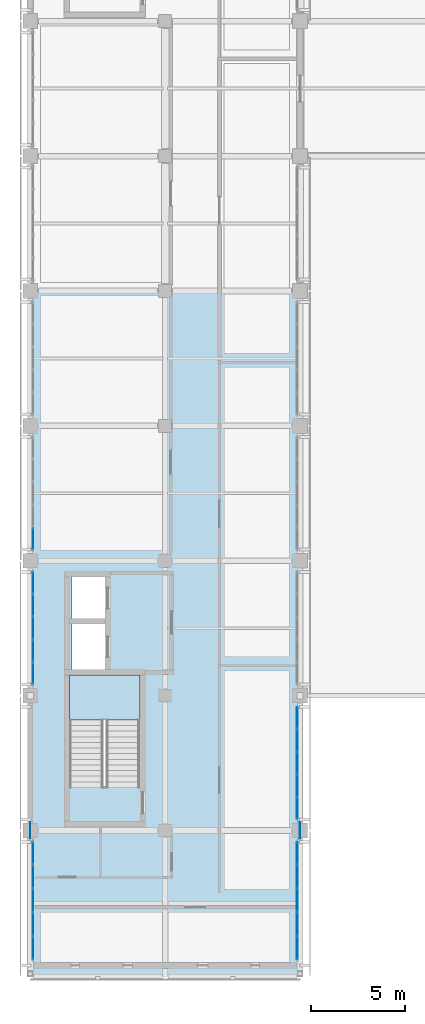
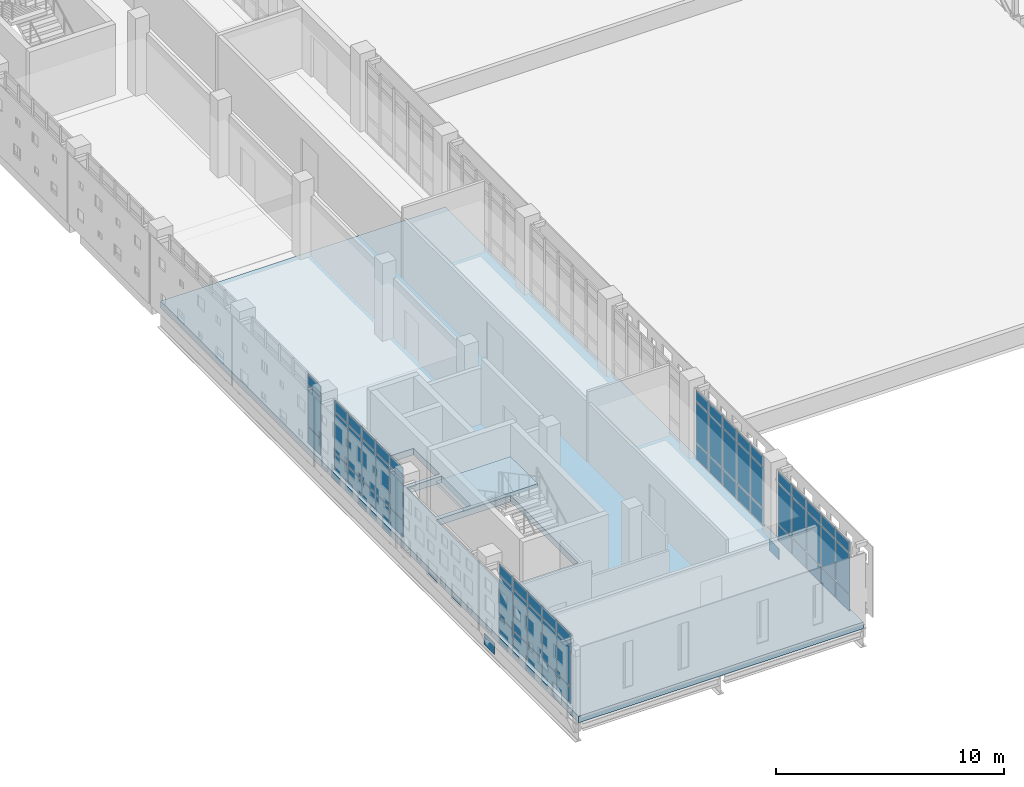
# One storey, part 25 of 51: 65 plates, 2 slabs, 6 elements without a shape of their own.
"""IFC4 building model written with IfcOpenShell, lengths in metres."""

from ifc_helpers import new_model, si_unit, direction, frame, origin, origin_2d, place, context, subcontext, project, spatial, polyline, rectangle, outline, extrude, material, layer, layer_set, type_object, element, aggregate, save


model = new_model("IFC4")

# Units and contexts
model_context = context("Model", 3, precision=1e-05, world=origin(), true_north=direction((0.0, 1.0)))
body_context = subcontext(model_context, "Body", "Model", "MODEL_VIEW")
ifc_project = project(units=[si_unit("LENGTHUNIT", "METRE"), si_unit("AREAUNIT", "SQUARE_METRE"), si_unit("VOLUMEUNIT", "CUBIC_METRE"), si_unit("PLANEANGLEUNIT", "RADIAN"), si_unit("MASSUNIT", "GRAM", prefix="KILO")], contexts=[model_context])

# Site, building, storey
site_placement = place(None, origin())
site = spatial("IfcSite", under=ifc_project, at=site_placement, CompositionType="ELEMENT")
building_placement = place(site_placement, origin())
building = spatial("IfcBuilding", under=site, at=building_placement, Name="Valkovuoma Quantum and Materials Research Institute", CompositionType="ELEMENT")
storey_placement = place(building_placement, frame((0.0, 0.0, 17.280029296875)))
storey = spatial("IfcBuildingStorey", under=building, at=storey_placement, Name="L04", CompositionType="ELEMENT", Elevation=17.280029296875)

# Curtain wall, plates
ifc_material_1 = material(Name="Thermally broken aluminium and triple low-E glazing", Category="aluminium")
ifc_layer_1 = layer(ifc_material_1, 0.219970703125)
ifc_layer_set_1 = layer_set([ifc_layer_1], Name="Thermally broken aluminium and triple low-E glazing")
curtain_wall_type = type_object("IfcCurtainWallType", Name="CW-CW-01", PredefinedType="NOTDEFINED", material=ifc_layer_set_1)
curtain_wall_1_placement = place(storey_placement, origin())
curtain_wall_1 = element("IfcCurtainWall", 1, at=curtain_wall_1_placement, inside=storey, type_object=curtain_wall_type, Name="L04 curtain wall 038", PredefinedType="NOTDEFINED")
ifc_material_2 = material(Name="Triple low-E argon insulating glass", Category="glass")
ifc_layer_2 = layer(ifc_material_2, 0.035888671875)
ifc_layer_set_2 = layer_set([ifc_layer_2], Name="Triple low-E argon insulating glass")
plate_type_1 = type_object("IfcPlateType", Name="CWPanel-CWP-01", PredefinedType="CURTAIN_PANEL", material=ifc_layer_set_2)
plate_1_placement = place(storey_placement, frame((0.14990234375, 22.521728515625, 0.06494140625), z_axis=(0.0, 0.0, 1.0), x_axis=(0.0, 1.0, 0.0)))
plate_1 = element("IfcPlate", 2, at=plate_1_placement, type_object=plate_type_1, Name="CW-01 panel 1.1", PredefinedType="CURTAIN_PANEL", context=body_context, shape_type="SweptSolid", body=[
    extrude(rectangle(XDim=1.177490234375, YDim=0.035888671875, at=origin_2d()), origin(), (0.0, 0.0, 1.0), 0.8525390625),
])
plate_2_placement = place(storey_placement, frame((0.14990234375, 22.521728515625, 0.982421875), z_axis=(0.0, 0.0, 1.0), x_axis=(0.0, 1.0, 0.0)))
plate_2 = element("IfcPlate", 3, at=plate_2_placement, type_object=plate_type_1, Name="CW-01 panel 1.2", PredefinedType="CURTAIN_PANEL", context=body_context, shape_type="SweptSolid", body=[
    extrude(rectangle(XDim=1.177490234375, YDim=0.035888671875, at=origin_2d()), origin(), (0.0, 0.0, 1.0), 2.14501953125),
])
plate_3_placement = place(storey_placement, frame((0.14990234375, 22.521728515625, 3.1923828125), z_axis=(0.0, 0.0, 1.0), x_axis=(0.0, 1.0, 0.0)))
plate_3 = element("IfcPlate", 4, at=plate_3_placement, type_object=plate_type_1, Name="CW-01 panel 1.3", PredefinedType="CURTAIN_PANEL", context=body_context, shape_type="SweptSolid", body=[
    extrude(rectangle(XDim=1.177490234375, YDim=0.035888671875, at=origin_2d()), origin(), (0.0, 0.0, 1.0), 0.552490234375),
])
plate_4_placement = place(storey_placement, frame((0.14990234375, 23.780517578125, 0.06494140625), z_axis=(0.0, 0.0, 1.0), x_axis=(0.0, 1.0, 0.0)))
plate_4 = element("IfcPlate", 5, at=plate_4_placement, type_object=plate_type_1, Name="CW-01 panel 2.1", PredefinedType="CURTAIN_PANEL", context=body_context, shape_type="SweptSolid", body=[
    extrude(rectangle(XDim=1.2099609375, YDim=0.035888671875, at=origin_2d()), origin(), (0.0, 0.0, 1.0), 0.8525390625),
])
plate_5_placement = place(storey_placement, frame((0.14990234375, 23.780517578125, 0.982421875), z_axis=(0.0, 0.0, 1.0), x_axis=(0.0, 1.0, 0.0)))
plate_5 = element("IfcPlate", 6, at=plate_5_placement, type_object=plate_type_1, Name="CW-01 panel 2.2", PredefinedType="CURTAIN_PANEL", context=body_context, shape_type="SweptSolid", body=[
    extrude(rectangle(XDim=1.2099609375, YDim=0.035888671875, at=origin_2d()), origin(), (0.0, 0.0, 1.0), 2.14501953125),
])
plate_6_placement = place(storey_placement, frame((0.14990234375, 23.780517578125, 3.1923828125), z_axis=(0.0, 0.0, 1.0), x_axis=(0.0, 1.0, 0.0)))
plate_6 = element("IfcPlate", 7, at=plate_6_placement, type_object=plate_type_1, Name="CW-01 panel 2.3", PredefinedType="CURTAIN_PANEL", context=body_context, shape_type="SweptSolid", body=[
    extrude(rectangle(XDim=1.2099609375, YDim=0.035888671875, at=origin_2d()), origin(), (0.0, 0.0, 1.0), 0.552490234375),
])
plate_7_placement = place(storey_placement, frame((0.14990234375, 25.055419921875, 0.06494140625), z_axis=(0.0, 0.0, 1.0), x_axis=(0.0, 1.0, 0.0)))
plate_7 = element("IfcPlate", 8, at=plate_7_placement, type_object=plate_type_1, Name="CW-01 panel 3.1", PredefinedType="CURTAIN_PANEL", context=body_context, shape_type="SweptSolid", body=[
    extrude(rectangle(XDim=1.2099609375, YDim=0.035888671875, at=origin_2d()), origin(), (0.0, 0.0, 1.0), 0.8525390625),
])
plate_8_placement = place(storey_placement, frame((0.14990234375, 25.055419921875, 0.982421875), z_axis=(0.0, 0.0, 1.0), x_axis=(0.0, 1.0, 0.0)))
plate_8 = element("IfcPlate", 9, at=plate_8_placement, type_object=plate_type_1, Name="CW-01 panel 3.2", PredefinedType="CURTAIN_PANEL", context=body_context, shape_type="SweptSolid", body=[
    extrude(rectangle(XDim=1.2099609375, YDim=0.035888671875, at=origin_2d()), origin(), (0.0, 0.0, 1.0), 2.14501953125),
])
plate_9_placement = place(storey_placement, frame((0.14990234375, 25.055419921875, 3.1923828125), z_axis=(0.0, 0.0, 1.0), x_axis=(0.0, 1.0, 0.0)))
plate_9 = element("IfcPlate", 10, at=plate_9_placement, type_object=plate_type_1, Name="CW-01 panel 3.3", PredefinedType="CURTAIN_PANEL", context=body_context, shape_type="SweptSolid", body=[
    extrude(rectangle(XDim=1.2099609375, YDim=0.035888671875, at=origin_2d()), origin(), (0.0, 0.0, 1.0), 0.552490234375),
])
plate_10_placement = place(storey_placement, frame((0.14990234375, 26.330322265625, 0.06494140625), z_axis=(0.0, 0.0, 1.0), x_axis=(0.0, 1.0, 0.0)))
plate_10 = element("IfcPlate", 11, at=plate_10_placement, type_object=plate_type_1, Name="CW-01 panel 4.1", PredefinedType="CURTAIN_PANEL", context=body_context, shape_type="SweptSolid", body=[
    extrude(rectangle(XDim=1.2099609375, YDim=0.035888671875, at=origin_2d()), origin(), (0.0, 0.0, 1.0), 0.8525390625),
])
plate_11_placement = place(storey_placement, frame((0.14990234375, 26.330322265625, 0.982421875), z_axis=(0.0, 0.0, 1.0), x_axis=(0.0, 1.0, 0.0)))
plate_11 = element("IfcPlate", 12, at=plate_11_placement, type_object=plate_type_1, Name="CW-01 panel 4.2", PredefinedType="CURTAIN_PANEL", context=body_context, shape_type="SweptSolid", body=[
    extrude(rectangle(XDim=1.2099609375, YDim=0.035888671875, at=origin_2d()), origin(), (0.0, 0.0, 1.0), 2.14501953125),
])
plate_12_placement = place(storey_placement, frame((0.14990234375, 26.330322265625, 3.1923828125), z_axis=(0.0, 0.0, 1.0), x_axis=(0.0, 1.0, 0.0)))
plate_12 = element("IfcPlate", 13, at=plate_12_placement, type_object=plate_type_1, Name="CW-01 panel 4.3", PredefinedType="CURTAIN_PANEL", context=body_context, shape_type="SweptSolid", body=[
    extrude(rectangle(XDim=1.2099609375, YDim=0.035888671875, at=origin_2d()), origin(), (0.0, 0.0, 1.0), 0.552490234375),
])
plate_13_placement = place(storey_placement, frame((0.14990234375, 27.589111328125, 0.06494140625), z_axis=(0.0, 0.0, 1.0), x_axis=(0.0, 1.0, 0.0)))
plate_13 = element("IfcPlate", 14, at=plate_13_placement, type_object=plate_type_1, Name="CW-01 panel 5.1", PredefinedType="CURTAIN_PANEL", context=body_context, shape_type="SweptSolid", body=[
    extrude(rectangle(XDim=1.177490234375, YDim=0.035888671875, at=origin_2d()), origin(), (0.0, 0.0, 1.0), 0.8525390625),
])
plate_14_placement = place(storey_placement, frame((0.14990234375, 27.589111328125, 0.982421875), z_axis=(0.0, 0.0, 1.0), x_axis=(0.0, 1.0, 0.0)))
plate_14 = element("IfcPlate", 15, at=plate_14_placement, type_object=plate_type_1, Name="CW-01 panel 5.2", PredefinedType="CURTAIN_PANEL", context=body_context, shape_type="SweptSolid", body=[
    extrude(rectangle(XDim=1.177490234375, YDim=0.035888671875, at=origin_2d()), origin(), (0.0, 0.0, 1.0), 2.14501953125),
])
plate_15_placement = place(storey_placement, frame((0.14990234375, 27.589111328125, 3.1923828125), z_axis=(0.0, 0.0, 1.0), x_axis=(0.0, 1.0, 0.0)))
plate_15 = element("IfcPlate", 16, at=plate_15_placement, type_object=plate_type_1, Name="CW-01 panel 5.3", PredefinedType="CURTAIN_PANEL", context=body_context, shape_type="SweptSolid", body=[
    extrude(rectangle(XDim=1.177490234375, YDim=0.035888671875, at=origin_2d()), origin(), (0.0, 0.0, 1.0), 0.552490234375),
])
aggregate(curtain_wall_1, [plate_1, plate_2, plate_3, plate_4, plate_5, plate_6, plate_7, plate_8, plate_9, plate_10, plate_11, plate_12, plate_13, plate_14, plate_15])

curtain_wall_2_placement = place(storey_placement, origin())
curtain_wall_2 = element("IfcCurtainWall", 17, at=curtain_wall_2_placement, inside=storey, type_object=curtain_wall_type, Name="L04 curtain wall 041", PredefinedType="NOTDEFINED")
plate_16_placement = place(storey_placement, frame((0.14990234375, 37.181884765625, 0.06494140625), z_axis=(0.0, 0.0, 1.0), x_axis=(0.0, 1.0, 0.0)))
plate_16 = element("IfcPlate", 18, at=plate_16_placement, type_object=plate_type_1, Name="CW-01 panel 1.1", PredefinedType="CURTAIN_PANEL", context=body_context, shape_type="SweptSolid", body=[
    extrude(rectangle(XDim=1.11962890625, YDim=0.035888671875, at=origin_2d()), origin(), (0.0, 0.0, 1.0), 0.8525390625),
])
plate_17_placement = place(storey_placement, frame((0.14990234375, 37.181884765625, 0.982421875), z_axis=(0.0, 0.0, 1.0), x_axis=(0.0, 1.0, 0.0)))
plate_17 = element("IfcPlate", 19, at=plate_17_placement, type_object=plate_type_1, Name="CW-01 panel 1.2", PredefinedType="CURTAIN_PANEL", context=body_context, shape_type="SweptSolid", body=[
    extrude(rectangle(XDim=1.11962890625, YDim=0.035888671875, at=origin_2d()), origin(), (0.0, 0.0, 1.0), 2.14501953125),
])
plate_18_placement = place(storey_placement, frame((0.14990234375, 37.181884765625, 3.1923828125), z_axis=(0.0, 0.0, 1.0), x_axis=(0.0, 1.0, 0.0)))
plate_18 = element("IfcPlate", 20, at=plate_18_placement, type_object=plate_type_1, Name="CW-01 panel 1.3", PredefinedType="CURTAIN_PANEL", context=body_context, shape_type="SweptSolid", body=[
    extrude(rectangle(XDim=1.11962890625, YDim=0.035888671875, at=origin_2d()), origin(), (0.0, 0.0, 1.0), 0.552490234375),
])
plate_19_placement = place(storey_placement, frame((0.14990234375, 38.3828125, 0.06494140625), z_axis=(0.0, 0.0, 1.0), x_axis=(0.0, 1.0, 0.0)))
plate_19 = element("IfcPlate", 21, at=plate_19_placement, type_object=plate_type_1, Name="CW-01 panel 2.1", PredefinedType="CURTAIN_PANEL", context=body_context, shape_type="SweptSolid", body=[
    extrude(rectangle(XDim=1.152099609375, YDim=0.035888671875, at=origin_2d()), origin(), (0.0, 0.0, 1.0), 0.8525390625),
])
plate_20_placement = place(storey_placement, frame((0.14990234375, 38.3828125, 0.982421875), z_axis=(0.0, 0.0, 1.0), x_axis=(0.0, 1.0, 0.0)))
plate_20 = element("IfcPlate", 22, at=plate_20_placement, type_object=plate_type_1, Name="CW-01 panel 2.2", PredefinedType="CURTAIN_PANEL", context=body_context, shape_type="SweptSolid", body=[
    extrude(rectangle(XDim=1.152099609375, YDim=0.035888671875, at=origin_2d()), origin(), (0.0, 0.0, 1.0), 2.14501953125),
])
plate_21_placement = place(storey_placement, frame((0.14990234375, 38.3828125, 3.1923828125), z_axis=(0.0, 0.0, 1.0), x_axis=(0.0, 1.0, 0.0)))
plate_21 = element("IfcPlate", 23, at=plate_21_placement, type_object=plate_type_1, Name="CW-01 panel 2.3", PredefinedType="CURTAIN_PANEL", context=body_context, shape_type="SweptSolid", body=[
    extrude(rectangle(XDim=1.152099609375, YDim=0.035888671875, at=origin_2d()), origin(), (0.0, 0.0, 1.0), 0.552490234375),
])
plate_22_placement = place(storey_placement, frame((0.14990234375, 39.60009765625, 0.06494140625), z_axis=(0.0, 0.0, 1.0), x_axis=(0.0, 1.0, 0.0)))
plate_22 = element("IfcPlate", 24, at=plate_22_placement, type_object=plate_type_1, Name="CW-01 panel 3.1", PredefinedType="CURTAIN_PANEL", context=body_context, shape_type="SweptSolid", body=[
    extrude(rectangle(XDim=1.152099609375, YDim=0.035888671875, at=origin_2d()), origin(), (0.0, 0.0, 1.0), 0.8525390625),
])
plate_23_placement = place(storey_placement, frame((0.14990234375, 39.60009765625, 0.982421875), z_axis=(0.0, 0.0, 1.0), x_axis=(0.0, 1.0, 0.0)))
plate_23 = element("IfcPlate", 25, at=plate_23_placement, type_object=plate_type_1, Name="CW-01 panel 3.2", PredefinedType="CURTAIN_PANEL", context=body_context, shape_type="SweptSolid", body=[
    extrude(rectangle(XDim=1.152099609375, YDim=0.035888671875, at=origin_2d()), origin(), (0.0, 0.0, 1.0), 2.14501953125),
])
plate_24_placement = place(storey_placement, frame((0.14990234375, 39.60009765625, 3.1923828125), z_axis=(0.0, 0.0, 1.0), x_axis=(0.0, 1.0, 0.0)))
plate_24 = element("IfcPlate", 26, at=plate_24_placement, type_object=plate_type_1, Name="CW-01 panel 3.3", PredefinedType="CURTAIN_PANEL", context=body_context, shape_type="SweptSolid", body=[
    extrude(rectangle(XDim=1.152099609375, YDim=0.035888671875, at=origin_2d()), origin(), (0.0, 0.0, 1.0), 0.552490234375),
])
plate_25_placement = place(storey_placement, frame((0.14990234375, 40.817138671875, 0.06494140625), z_axis=(0.0, 0.0, 1.0), x_axis=(0.0, 1.0, 0.0)))
plate_25 = element("IfcPlate", 27, at=plate_25_placement, type_object=plate_type_1, Name="CW-01 panel 4.1", PredefinedType="CURTAIN_PANEL", context=body_context, shape_type="SweptSolid", body=[
    extrude(rectangle(XDim=1.152099609375, YDim=0.035888671875, at=origin_2d()), origin(), (0.0, 0.0, 1.0), 0.8525390625),
])
plate_26_placement = place(storey_placement, frame((0.14990234375, 40.817138671875, 0.982421875), z_axis=(0.0, 0.0, 1.0), x_axis=(0.0, 1.0, 0.0)))
plate_26 = element("IfcPlate", 28, at=plate_26_placement, type_object=plate_type_1, Name="CW-01 panel 4.2", PredefinedType="CURTAIN_PANEL", context=body_context, shape_type="SweptSolid", body=[
    extrude(rectangle(XDim=1.152099609375, YDim=0.035888671875, at=origin_2d()), origin(), (0.0, 0.0, 1.0), 2.14501953125),
])
plate_27_placement = place(storey_placement, frame((0.14990234375, 40.817138671875, 3.1923828125), z_axis=(0.0, 0.0, 1.0), x_axis=(0.0, 1.0, 0.0)))
plate_27 = element("IfcPlate", 29, at=plate_27_placement, type_object=plate_type_1, Name="CW-01 panel 4.3", PredefinedType="CURTAIN_PANEL", context=body_context, shape_type="SweptSolid", body=[
    extrude(rectangle(XDim=1.152099609375, YDim=0.035888671875, at=origin_2d()), origin(), (0.0, 0.0, 1.0), 0.552490234375),
])
plate_28_placement = place(storey_placement, frame((0.14990234375, 42.01806640625, 0.06494140625), z_axis=(0.0, 0.0, 1.0), x_axis=(0.0, 1.0, 0.0)))
plate_28 = element("IfcPlate", 30, at=plate_28_placement, type_object=plate_type_1, Name="CW-01 panel 5.1", PredefinedType="CURTAIN_PANEL", context=body_context, shape_type="SweptSolid", body=[
    extrude(rectangle(XDim=1.11962890625, YDim=0.035888671875, at=origin_2d()), origin(), (0.0, 0.0, 1.0), 0.8525390625),
])
plate_29_placement = place(storey_placement, frame((0.14990234375, 42.01806640625, 0.982421875), z_axis=(0.0, 0.0, 1.0), x_axis=(0.0, 1.0, 0.0)))
plate_29 = element("IfcPlate", 31, at=plate_29_placement, type_object=plate_type_1, Name="CW-01 panel 5.2", PredefinedType="CURTAIN_PANEL", context=body_context, shape_type="SweptSolid", body=[
    extrude(rectangle(XDim=1.11962890625, YDim=0.035888671875, at=origin_2d()), origin(), (0.0, 0.0, 1.0), 2.14501953125),
])
plate_30_placement = place(storey_placement, frame((0.14990234375, 42.01806640625, 3.1923828125), z_axis=(0.0, 0.0, 1.0), x_axis=(0.0, 1.0, 0.0)))
plate_30 = element("IfcPlate", 32, at=plate_30_placement, type_object=plate_type_1, Name="CW-01 panel 5.3", PredefinedType="CURTAIN_PANEL", context=body_context, shape_type="SweptSolid", body=[
    extrude(rectangle(XDim=1.11962890625, YDim=0.035888671875, at=origin_2d()), origin(), (0.0, 0.0, 1.0), 0.552490234375),
])
aggregate(curtain_wall_2, [plate_16, plate_17, plate_18, plate_19, plate_20, plate_21, plate_22, plate_23, plate_24, plate_25, plate_26, plate_27, plate_28, plate_29, plate_30])

curtain_wall_3_placement = place(storey_placement, origin())
curtain_wall_3 = element("IfcCurtainWall", 33, at=curtain_wall_3_placement, inside=storey, type_object=curtain_wall_type, Name="L04 curtain wall 043", PredefinedType="NOTDEFINED")
plate_31_placement = place(storey_placement, frame((0.14990234375, 44.3818359375, 0.06494140625), z_axis=(0.0, 0.0, 1.0), x_axis=(0.0, 1.0, 0.0)))
plate_31 = element("IfcPlate", 34, at=plate_31_placement, type_object=plate_type_1, Name="CW-01 panel 1.1", PredefinedType="CURTAIN_PANEL", context=body_context, shape_type="SweptSolid", body=[
    extrude(rectangle(XDim=1.11962890625, YDim=0.035888671875, at=origin_2d()), origin(), (0.0, 0.0, 1.0), 0.8525390625),
])
plate_32_placement = place(storey_placement, frame((0.14990234375, 44.3818359375, 0.982421875), z_axis=(0.0, 0.0, 1.0), x_axis=(0.0, 1.0, 0.0)))
plate_32 = element("IfcPlate", 35, at=plate_32_placement, type_object=plate_type_1, Name="CW-01 panel 1.2", PredefinedType="CURTAIN_PANEL", context=body_context, shape_type="SweptSolid", body=[
    extrude(rectangle(XDim=1.11962890625, YDim=0.035888671875, at=origin_2d()), origin(), (0.0, 0.0, 1.0), 2.14501953125),
])
plate_33_placement = place(storey_placement, frame((0.14990234375, 44.3818359375, 3.1923828125), z_axis=(0.0, 0.0, 1.0), x_axis=(0.0, 1.0, 0.0)))
plate_33 = element("IfcPlate", 36, at=plate_33_placement, type_object=plate_type_1, Name="CW-01 panel 1.3", PredefinedType="CURTAIN_PANEL", context=body_context, shape_type="SweptSolid", body=[
    extrude(rectangle(XDim=1.11962890625, YDim=0.035888671875, at=origin_2d()), origin(), (0.0, 0.0, 1.0), 0.552490234375),
])
aggregate(curtain_wall_3, [plate_31, plate_32, plate_33])

curtain_wall_4_placement = place(storey_placement, origin())
curtain_wall_4 = element("IfcCurtainWall", 37, at=curtain_wall_4_placement, inside=storey, type_object=curtain_wall_type, Name="L04 curtain wall 039", PredefinedType="NOTDEFINED")
ifc_material_3 = material(Name="Triple low-E argon insulating glass", Category="glass")
ifc_layer_3 = layer(ifc_material_3, 0.0419921875)
ifc_layer_set_3 = layer_set([ifc_layer_3], Name="Triple low-E argon insulating glass")
plate_type_2 = type_object("IfcPlateType", Name="CWPanel-CWP-02", PredefinedType="CURTAIN_PANEL", material=ifc_layer_set_3)
plate_34_placement = place(storey_placement, frame((14.25, 22.521728515625, 0.06494140625), z_axis=(0.0, 0.0, 1.0), x_axis=(0.0, 1.0, 0.0)))
plate_34 = element("IfcPlate", 38, at=plate_34_placement, type_object=plate_type_2, Name="CW-01 panel 1.1", PredefinedType="CURTAIN_PANEL", context=body_context, shape_type="SweptSolid", body=[
    extrude(rectangle(XDim=1.177490234375, YDim=0.0419921875, at=origin_2d()), origin(), (0.0, 0.0, 1.0), 0.8525390625),
])
plate_35_placement = place(storey_placement, frame((14.25, 22.521728515625, 0.982421875), z_axis=(0.0, 0.0, 1.0), x_axis=(0.0, 1.0, 0.0)))
plate_35 = element("IfcPlate", 39, at=plate_35_placement, type_object=plate_type_2, Name="CW-01 panel 1.2", PredefinedType="CURTAIN_PANEL", context=body_context, shape_type="SweptSolid", body=[
    extrude(rectangle(XDim=1.177490234375, YDim=0.0419921875, at=origin_2d()), origin(), (0.0, 0.0, 1.0), 2.14501953125),
])
plate_36_placement = place(storey_placement, frame((14.25, 22.521728515625, 3.1923828125), z_axis=(0.0, 0.0, 1.0), x_axis=(0.0, 1.0, 0.0)))
plate_36 = element("IfcPlate", 40, at=plate_36_placement, type_object=plate_type_2, Name="CW-01 panel 1.3", PredefinedType="CURTAIN_PANEL", context=body_context, shape_type="SweptSolid", body=[
    extrude(rectangle(XDim=1.177490234375, YDim=0.0419921875, at=origin_2d()), origin(), (0.0, 0.0, 1.0), 0.552490234375),
])
plate_37_placement = place(storey_placement, frame((14.25, 23.780517578125, 0.06494140625), z_axis=(0.0, 0.0, 1.0), x_axis=(0.0, 1.0, 0.0)))
plate_37 = element("IfcPlate", 41, at=plate_37_placement, type_object=plate_type_2, Name="CW-01 panel 2.1", PredefinedType="CURTAIN_PANEL", context=body_context, shape_type="SweptSolid", body=[
    extrude(rectangle(XDim=1.2099609375, YDim=0.0419921875, at=origin_2d()), origin(), (0.0, 0.0, 1.0), 0.8525390625),
])
plate_38_placement = place(storey_placement, frame((14.25, 23.780517578125, 0.982421875), z_axis=(0.0, 0.0, 1.0), x_axis=(0.0, 1.0, 0.0)))
plate_38 = element("IfcPlate", 42, at=plate_38_placement, type_object=plate_type_2, Name="CW-01 panel 2.2", PredefinedType="CURTAIN_PANEL", context=body_context, shape_type="SweptSolid", body=[
    extrude(rectangle(XDim=1.2099609375, YDim=0.0419921875, at=origin_2d()), origin(), (0.0, 0.0, 1.0), 2.14501953125),
])
plate_39_placement = place(storey_placement, frame((14.25, 23.780517578125, 3.1923828125), z_axis=(0.0, 0.0, 1.0), x_axis=(0.0, 1.0, 0.0)))
plate_39 = element("IfcPlate", 43, at=plate_39_placement, type_object=plate_type_2, Name="CW-01 panel 2.3", PredefinedType="CURTAIN_PANEL", context=body_context, shape_type="SweptSolid", body=[
    extrude(rectangle(XDim=1.2099609375, YDim=0.0419921875, at=origin_2d()), origin(), (0.0, 0.0, 1.0), 0.552490234375),
])
plate_40_placement = place(storey_placement, frame((14.25, 25.055419921875, 0.06494140625), z_axis=(0.0, 0.0, 1.0), x_axis=(0.0, 1.0, 0.0)))
plate_40 = element("IfcPlate", 44, at=plate_40_placement, type_object=plate_type_2, Name="CW-01 panel 3.1", PredefinedType="CURTAIN_PANEL", context=body_context, shape_type="SweptSolid", body=[
    extrude(rectangle(XDim=1.2099609375, YDim=0.0419921875, at=origin_2d()), origin(), (0.0, 0.0, 1.0), 0.8525390625),
])
plate_41_placement = place(storey_placement, frame((14.25, 25.055419921875, 0.982421875), z_axis=(0.0, 0.0, 1.0), x_axis=(0.0, 1.0, 0.0)))
plate_41 = element("IfcPlate", 45, at=plate_41_placement, type_object=plate_type_2, Name="CW-01 panel 3.2", PredefinedType="CURTAIN_PANEL", context=body_context, shape_type="SweptSolid", body=[
    extrude(rectangle(XDim=1.2099609375, YDim=0.0419921875, at=origin_2d()), origin(), (0.0, 0.0, 1.0), 2.14501953125),
])
plate_42_placement = place(storey_placement, frame((14.25, 25.055419921875, 3.1923828125), z_axis=(0.0, 0.0, 1.0), x_axis=(0.0, 1.0, 0.0)))
plate_42 = element("IfcPlate", 46, at=plate_42_placement, type_object=plate_type_2, Name="CW-01 panel 3.3", PredefinedType="CURTAIN_PANEL", context=body_context, shape_type="SweptSolid", body=[
    extrude(rectangle(XDim=1.2099609375, YDim=0.0419921875, at=origin_2d()), origin(), (0.0, 0.0, 1.0), 0.552490234375),
])
plate_43_placement = place(storey_placement, frame((14.25, 26.330322265625, 0.06494140625), z_axis=(0.0, 0.0, 1.0), x_axis=(0.0, 1.0, 0.0)))
plate_43 = element("IfcPlate", 47, at=plate_43_placement, type_object=plate_type_2, Name="CW-01 panel 4.1", PredefinedType="CURTAIN_PANEL", context=body_context, shape_type="SweptSolid", body=[
    extrude(rectangle(XDim=1.2099609375, YDim=0.0419921875, at=origin_2d()), origin(), (0.0, 0.0, 1.0), 0.8525390625),
])
plate_44_placement = place(storey_placement, frame((14.25, 26.330322265625, 0.982421875), z_axis=(0.0, 0.0, 1.0), x_axis=(0.0, 1.0, 0.0)))
plate_44 = element("IfcPlate", 48, at=plate_44_placement, type_object=plate_type_2, Name="CW-01 panel 4.2", PredefinedType="CURTAIN_PANEL", context=body_context, shape_type="SweptSolid", body=[
    extrude(rectangle(XDim=1.2099609375, YDim=0.0419921875, at=origin_2d()), origin(), (0.0, 0.0, 1.0), 2.14501953125),
])
plate_45_placement = place(storey_placement, frame((14.25, 26.330322265625, 3.1923828125), z_axis=(0.0, 0.0, 1.0), x_axis=(0.0, 1.0, 0.0)))
plate_45 = element("IfcPlate", 49, at=plate_45_placement, type_object=plate_type_2, Name="CW-01 panel 4.3", PredefinedType="CURTAIN_PANEL", context=body_context, shape_type="SweptSolid", body=[
    extrude(rectangle(XDim=1.2099609375, YDim=0.0419921875, at=origin_2d()), origin(), (0.0, 0.0, 1.0), 0.552490234375),
])
plate_46_placement = place(storey_placement, frame((14.25, 27.589111328125, 0.06494140625), z_axis=(0.0, 0.0, 1.0), x_axis=(0.0, 1.0, 0.0)))
plate_46 = element("IfcPlate", 50, at=plate_46_placement, type_object=plate_type_2, Name="CW-01 panel 5.1", PredefinedType="CURTAIN_PANEL", context=body_context, shape_type="SweptSolid", body=[
    extrude(rectangle(XDim=1.177490234375, YDim=0.0419921875, at=origin_2d()), origin(), (0.0, 0.0, 1.0), 0.8525390625),
])
plate_47_placement = place(storey_placement, frame((14.25, 27.589111328125, 0.982421875), z_axis=(0.0, 0.0, 1.0), x_axis=(0.0, 1.0, 0.0)))
plate_47 = element("IfcPlate", 51, at=plate_47_placement, type_object=plate_type_2, Name="CW-01 panel 5.2", PredefinedType="CURTAIN_PANEL", context=body_context, shape_type="SweptSolid", body=[
    extrude(rectangle(XDim=1.177490234375, YDim=0.0419921875, at=origin_2d()), origin(), (0.0, 0.0, 1.0), 2.14501953125),
])
plate_48_placement = place(storey_placement, frame((14.25, 27.589111328125, 3.1923828125), z_axis=(0.0, 0.0, 1.0), x_axis=(0.0, 1.0, 0.0)))
plate_48 = element("IfcPlate", 52, at=plate_48_placement, type_object=plate_type_2, Name="CW-01 panel 5.3", PredefinedType="CURTAIN_PANEL", context=body_context, shape_type="SweptSolid", body=[
    extrude(rectangle(XDim=1.177490234375, YDim=0.0419921875, at=origin_2d()), origin(), (0.0, 0.0, 1.0), 0.552490234375),
])
aggregate(curtain_wall_4, [plate_34, plate_35, plate_36, plate_37, plate_38, plate_39, plate_40, plate_41, plate_42, plate_43, plate_44, plate_45, plate_46, plate_47, plate_48])

curtain_wall_5_placement = place(storey_placement, origin())
curtain_wall_5 = element("IfcCurtainWall", 53, at=curtain_wall_5_placement, inside=storey, type_object=curtain_wall_type, Name="L04 curtain wall 040", PredefinedType="NOTDEFINED")
plate_49_placement = place(storey_placement, frame((14.25, 29.98193359375, 0.06494140625), z_axis=(0.0, 0.0, 1.0), x_axis=(0.0, 1.0, 0.0)))
plate_49 = element("IfcPlate", 54, at=plate_49_placement, type_object=plate_type_2, Name="CW-01 panel 1.1", PredefinedType="CURTAIN_PANEL", context=body_context, shape_type="SweptSolid", body=[
    extrude(rectangle(XDim=1.11962890625, YDim=0.0419921875, at=origin_2d()), origin(), (0.0, 0.0, 1.0), 0.8525390625),
])
plate_50_placement = place(storey_placement, frame((14.25, 29.98193359375, 0.982421875), z_axis=(0.0, 0.0, 1.0), x_axis=(0.0, 1.0, 0.0)))
plate_50 = element("IfcPlate", 55, at=plate_50_placement, type_object=plate_type_2, Name="CW-01 panel 1.2", PredefinedType="CURTAIN_PANEL", context=body_context, shape_type="SweptSolid", body=[
    extrude(rectangle(XDim=1.11962890625, YDim=0.0419921875, at=origin_2d()), origin(), (0.0, 0.0, 1.0), 2.14501953125),
])
plate_51_placement = place(storey_placement, frame((14.25, 29.98193359375, 3.1923828125), z_axis=(0.0, 0.0, 1.0), x_axis=(0.0, 1.0, 0.0)))
plate_51 = element("IfcPlate", 56, at=plate_51_placement, type_object=plate_type_2, Name="CW-01 panel 1.3", PredefinedType="CURTAIN_PANEL", context=body_context, shape_type="SweptSolid", body=[
    extrude(rectangle(XDim=1.11962890625, YDim=0.0419921875, at=origin_2d()), origin(), (0.0, 0.0, 1.0), 0.552490234375),
])
plate_52_placement = place(storey_placement, frame((14.25, 31.182861328125, 0.06494140625), z_axis=(0.0, 0.0, 1.0), x_axis=(0.0, 1.0, 0.0)))
plate_52 = element("IfcPlate", 57, at=plate_52_placement, type_object=plate_type_2, Name="CW-01 panel 2.1", PredefinedType="CURTAIN_PANEL", context=body_context, shape_type="SweptSolid", body=[
    extrude(rectangle(XDim=1.152099609375, YDim=0.0419921875, at=origin_2d()), origin(), (0.0, 0.0, 1.0), 0.8525390625),
])
plate_53_placement = place(storey_placement, frame((14.25, 31.182861328125, 0.982421875), z_axis=(0.0, 0.0, 1.0), x_axis=(0.0, 1.0, 0.0)))
plate_53 = element("IfcPlate", 58, at=plate_53_placement, type_object=plate_type_2, Name="CW-01 panel 2.2", PredefinedType="CURTAIN_PANEL", context=body_context, shape_type="SweptSolid", body=[
    extrude(rectangle(XDim=1.152099609375, YDim=0.0419921875, at=origin_2d()), origin(), (0.0, 0.0, 1.0), 2.14501953125),
])
plate_54_placement = place(storey_placement, frame((14.25, 31.182861328125, 3.1923828125), z_axis=(0.0, 0.0, 1.0), x_axis=(0.0, 1.0, 0.0)))
plate_54 = element("IfcPlate", 59, at=plate_54_placement, type_object=plate_type_2, Name="CW-01 panel 2.3", PredefinedType="CURTAIN_PANEL", context=body_context, shape_type="SweptSolid", body=[
    extrude(rectangle(XDim=1.152099609375, YDim=0.0419921875, at=origin_2d()), origin(), (0.0, 0.0, 1.0), 0.552490234375),
])
plate_55_placement = place(storey_placement, frame((14.25, 32.39990234375, 0.06494140625), z_axis=(0.0, 0.0, 1.0), x_axis=(0.0, 1.0, 0.0)))
plate_55 = element("IfcPlate", 60, at=plate_55_placement, type_object=plate_type_2, Name="CW-01 panel 3.1", PredefinedType="CURTAIN_PANEL", context=body_context, shape_type="SweptSolid", body=[
    extrude(rectangle(XDim=1.152099609375, YDim=0.0419921875, at=origin_2d()), origin(), (0.0, 0.0, 1.0), 0.8525390625),
])
plate_56_placement = place(storey_placement, frame((14.25, 32.39990234375, 0.982421875), z_axis=(0.0, 0.0, 1.0), x_axis=(0.0, 1.0, 0.0)))
plate_56 = element("IfcPlate", 61, at=plate_56_placement, type_object=plate_type_2, Name="CW-01 panel 3.2", PredefinedType="CURTAIN_PANEL", context=body_context, shape_type="SweptSolid", body=[
    extrude(rectangle(XDim=1.152099609375, YDim=0.0419921875, at=origin_2d()), origin(), (0.0, 0.0, 1.0), 2.14501953125),
])
plate_57_placement = place(storey_placement, frame((14.25, 32.39990234375, 3.1923828125), z_axis=(0.0, 0.0, 1.0), x_axis=(0.0, 1.0, 0.0)))
plate_57 = element("IfcPlate", 62, at=plate_57_placement, type_object=plate_type_2, Name="CW-01 panel 3.3", PredefinedType="CURTAIN_PANEL", context=body_context, shape_type="SweptSolid", body=[
    extrude(rectangle(XDim=1.152099609375, YDim=0.0419921875, at=origin_2d()), origin(), (0.0, 0.0, 1.0), 0.552490234375),
])
plate_58_placement = place(storey_placement, frame((14.25, 33.6171875, 0.06494140625), z_axis=(0.0, 0.0, 1.0), x_axis=(0.0, 1.0, 0.0)))
plate_58 = element("IfcPlate", 63, at=plate_58_placement, type_object=plate_type_2, Name="CW-01 panel 4.1", PredefinedType="CURTAIN_PANEL", context=body_context, shape_type="SweptSolid", body=[
    extrude(rectangle(XDim=1.152099609375, YDim=0.0419921875, at=origin_2d()), origin(), (0.0, 0.0, 1.0), 0.8525390625),
])
plate_59_placement = place(storey_placement, frame((14.25, 33.6171875, 0.982421875), z_axis=(0.0, 0.0, 1.0), x_axis=(0.0, 1.0, 0.0)))
plate_59 = element("IfcPlate", 64, at=plate_59_placement, type_object=plate_type_2, Name="CW-01 panel 4.2", PredefinedType="CURTAIN_PANEL", context=body_context, shape_type="SweptSolid", body=[
    extrude(rectangle(XDim=1.152099609375, YDim=0.0419921875, at=origin_2d()), origin(), (0.0, 0.0, 1.0), 2.14501953125),
])
plate_60_placement = place(storey_placement, frame((14.25, 33.6171875, 3.1923828125), z_axis=(0.0, 0.0, 1.0), x_axis=(0.0, 1.0, 0.0)))
plate_60 = element("IfcPlate", 65, at=plate_60_placement, type_object=plate_type_2, Name="CW-01 panel 4.3", PredefinedType="CURTAIN_PANEL", context=body_context, shape_type="SweptSolid", body=[
    extrude(rectangle(XDim=1.152099609375, YDim=0.0419921875, at=origin_2d()), origin(), (0.0, 0.0, 1.0), 0.552490234375),
])
plate_61_placement = place(storey_placement, frame((14.25, 34.818115234375, 0.06494140625), z_axis=(0.0, 0.0, 1.0), x_axis=(0.0, 1.0, 0.0)))
plate_61 = element("IfcPlate", 66, at=plate_61_placement, type_object=plate_type_2, Name="CW-01 panel 5.1", PredefinedType="CURTAIN_PANEL", context=body_context, shape_type="SweptSolid", body=[
    extrude(rectangle(XDim=1.11962890625, YDim=0.0419921875, at=origin_2d()), origin(), (0.0, 0.0, 1.0), 0.8525390625),
])
plate_62_placement = place(storey_placement, frame((14.25, 34.818115234375, 0.982421875), z_axis=(0.0, 0.0, 1.0), x_axis=(0.0, 1.0, 0.0)))
plate_62 = element("IfcPlate", 67, at=plate_62_placement, type_object=plate_type_2, Name="CW-01 panel 5.2", PredefinedType="CURTAIN_PANEL", context=body_context, shape_type="SweptSolid", body=[
    extrude(rectangle(XDim=1.11962890625, YDim=0.0419921875, at=origin_2d()), origin(), (0.0, 0.0, 1.0), 2.14501953125),
])
plate_63_placement = place(storey_placement, frame((14.25, 34.818115234375, 3.1923828125), z_axis=(0.0, 0.0, 1.0), x_axis=(0.0, 1.0, 0.0)))
plate_63 = element("IfcPlate", 68, at=plate_63_placement, type_object=plate_type_2, Name="CW-01 panel 5.3", PredefinedType="CURTAIN_PANEL", context=body_context, shape_type="SweptSolid", body=[
    extrude(rectangle(XDim=1.11962890625, YDim=0.0419921875, at=origin_2d()), origin(), (0.0, 0.0, 1.0), 0.552490234375),
])
aggregate(curtain_wall_5, [plate_49, plate_50, plate_51, plate_52, plate_53, plate_54, plate_55, plate_56, plate_57, plate_58, plate_59, plate_60, plate_61, plate_62, plate_63])

# Plates
ifc_material_4 = material(Name="Steel S355J2", Category="steel")
plate_type_3 = type_object("IfcPlateType", Name="Plate-PL-GUS3", PredefinedType="USERDEFINED", material=ifc_material_4)
for number, where, z_axis, x_axis, name in (
    (69, (0.0, 28.800048828125, -1.150146484375), (0.0, 0.0, 1.0), (0.0, 1.0, 0.0), "L04 cantilever gusset plate 0"),
    (70, (14.39990234375, 28.800048828125, -1.150146484375), (0.0, 0.0, 1.0), (0.0, 1.0, 0.0), "L04 cantilever gusset plate 1"),
):
    element("IfcPlate", number, at=place(storey_placement, frame(where, z_axis=z_axis, x_axis=x_axis)), inside=storey, type_object=plate_type_3, Name=name, ObjectType="GUSSET_PLATE", PredefinedType="USERDEFINED", context=body_context, shape_type="SweptSolid", body=[
        extrude(rectangle(XDim=0.89990234375, YDim=0.02490234375, at=origin_2d()), origin(), (0.0, 0.0, 1.0), 0.60009765625),
    ])

# Slab
ifc_material_5 = material(Name="Concrete C40/50", Category="concrete")
ifc_layer_4 = layer(ifc_material_5, 0.35009765625)
ifc_layer_set_4 = layer_set([ifc_layer_4], Name="Concrete C40/50")
slab_type_1 = type_object("IfcSlabType", Name="Slab-SL-FL350", PredefinedType="FLOOR", material=ifc_layer_set_4)
slab_1_placement = place(storey_placement, frame((0.0, 0.0, -0.35009765625)))
element("IfcSlab", 71, at=slab_1_placement, inside=storey, type_object=slab_type_1, Name="L04 vol5_drylab structural slab 1", PredefinedType="FLOOR", context=body_context, shape_type="SweptSolid", body=[
    extrude(outline(polyline([(0.0, 21.0), (14.39990234375, 21.0), (14.39990234375, 57.60009765625), (0.0, 57.60009765625), (0.0, 21.0)]), holes=[polyline([(2.10009765625, 31.159912109375), (5.85009765625, 31.159912109375), (5.85009765625, 37.10009765625), (2.10009765625, 37.10009765625), (2.10009765625, 31.159912109375)]), polyline([(2.219970703125, 37.320068359375), (3.97998046875, 37.320068359375), (3.97998046875, 39.8798828125), (2.219970703125, 39.8798828125), (2.219970703125, 37.320068359375)]), polyline([(2.219970703125, 40.070068359375), (3.97998046875, 40.070068359375), (3.97998046875, 42.330078125), (2.219970703125, 42.330078125), (2.219970703125, 40.070068359375)])]), origin(), (0.0, 0.0, 1.0), 0.35009765625),
])

# Stair, slab
ifc_material_6 = material(Name="Concrete C40/50", Category="concrete")
stair_type = type_object("IfcStairType", Name="Stair-ST-COR", PredefinedType="HALF_TURN_STAIR", material=ifc_material_6)
stair_placement = place(storey_placement, origin())
stair = element("IfcStair", 72, at=stair_placement, inside=storey, type_object=stair_type, Name="L04 Exit Stair ST-1", PredefinedType="HALF_TURN_STAIR")
ifc_material_7 = material(Name="Concrete C40/50", Category="concrete")
ifc_layer_5 = layer(ifc_material_7, 0.199951171875)
ifc_layer_set_5 = layer_set([ifc_layer_5], Name="Concrete C40/50")
slab_type_2 = type_object("IfcSlabType", Name="Slab-SL-LND200", PredefinedType="LANDING", material=ifc_layer_set_5)
slab_2_placement = place(storey_placement, frame((0.0, 0.0, 1.8798828125)))
slab_2 = element("IfcSlab", 73, at=slab_2_placement, type_object=slab_type_2, Name="ST-1 landing 1", PredefinedType="LANDING", context=body_context, shape_type="SweptSolid", body=[
    extrude(outline(polyline([(5.85009765625, 34.699951171875), (5.85009765625, 37.10009765625), (2.10009765625, 37.10009765625), (2.10009765625, 34.699951171875), (5.85009765625, 34.699951171875)])), origin(), (0.0, 0.0, 1.0), 0.2001953125),
])
aggregate(stair, [slab_2])

save(model, "model.ifc")
